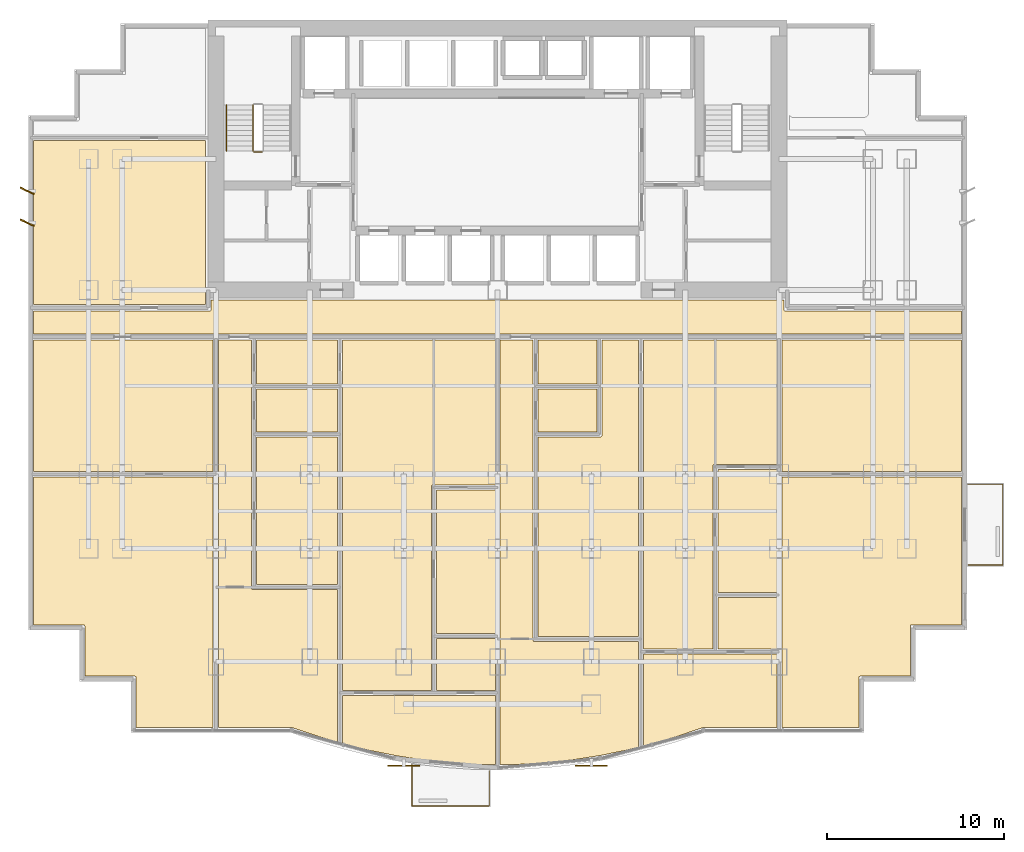
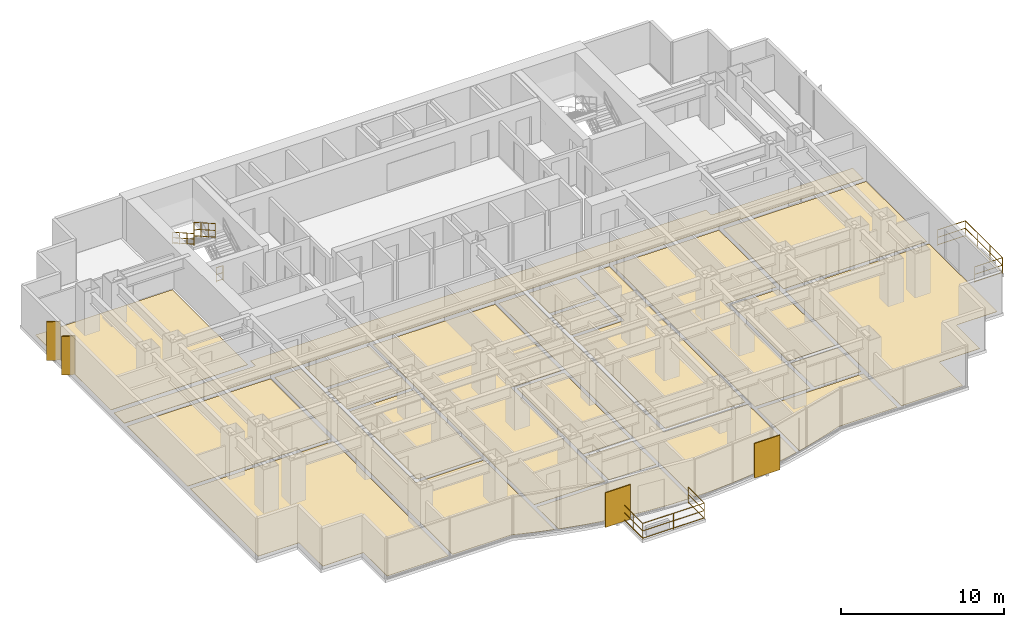
# One storey, part 9 of 10: 22 coverings, 5 railings, 4 shading devices.
"""IFC4 building model written with IfcOpenShell, lengths in metres."""

from ifc_helpers import new_model, si_unit, direction, frame, origin, origin_2d, place, context, subcontext, project, spatial, polyline, rectangle, circle, outline, extrude, source, transform, mapped, material, layer, layer_set, type_object, element, save


model = new_model("IFC4")

# Units and contexts
model_context = context("Model", 3, precision=1e-05, world=origin(), true_north=direction((0.0, 1.0)))
body_context = subcontext(model_context, "Body", "Model", "MODEL_VIEW")
ifc_project = project(units=[si_unit("LENGTHUNIT", "METRE"), si_unit("AREAUNIT", "SQUARE_METRE"), si_unit("VOLUMEUNIT", "CUBIC_METRE"), si_unit("PLANEANGLEUNIT", "RADIAN"), si_unit("MASSUNIT", "GRAM", prefix="KILO")], contexts=[model_context])

# Site, building, storey
site_placement = place(None, origin())
site = spatial("IfcSite", under=ifc_project, at=site_placement, CompositionType="ELEMENT")
building_placement = place(site_placement, origin())
building = spatial("IfcBuilding", under=site, at=building_placement, Name="Qianlan Lanfeng Residences", CompositionType="ELEMENT")
storey_placement = place(building_placement, frame((0.0, 0.0, 50.60009765625)))
storey = spatial("IfcBuildingStorey", under=building, at=storey_placement, Name="L13", CompositionType="ELEMENT", Elevation=50.60009765625)

# Coverings
ifc_material_1 = material(Name="Honed Taitung Granite Stone Flooring", Category="masonry")
ifc_layer_1 = layer(ifc_material_1, 0.030029296875)
ifc_layer_set_1 = layer_set([ifc_layer_1], Name="Honed Taitung Granite Stone Flooring")
covering_type_1 = type_object("IfcCoveringType", Name="FLR-STN-30", PredefinedType="FLOORING", material=ifc_layer_set_1)
covering_1_placement = place(storey_placement, origin())
element("IfcCovering", 1, at=covering_1_placement, inside=storey, type_object=covering_type_1, Name="L13 Residential Corridor Floor Finish", PredefinedType="FLOORING", context=body_context, shape_type="SweptSolid", body=[
    extrude(outline(polyline([(0.2900390625, 22.72998046875), (52.7099609375, 22.72998046875), (52.7099609375, 24.02001953125), (42.739990234375, 24.02001953125), (42.73291015625, 24.02001953125), (42.72607421875, 24.02099609375), (42.719970703125, 24.02294921875), (42.712890625, 24.02490234375), (42.70703125, 24.028076171875), (42.700927734375, 24.031982421875), (42.696044921875, 24.035888671875), (42.69091796875, 24.041015625), (42.68603515625, 24.0458984375), (42.681884765625, 24.051025390625), (42.677978515625, 24.056884765625), (42.675048828125, 24.06298828125), (42.673095703125, 24.070068359375), (42.6708984375, 24.075927734375), (42.669921875, 24.0830078125), (42.669921875, 24.090087890625), (42.669921875, 24.64990234375), (10.330078125, 24.64990234375), (10.330078125, 24.090087890625), (10.330078125, 24.0830078125), (10.3291015625, 24.075927734375), (10.326904296875, 24.070068359375), (10.324951171875, 24.06298828125), (10.322021484375, 24.056884765625), (10.318115234375, 24.051025390625), (10.31396484375, 24.0458984375), (10.30908203125, 24.041015625), (10.303955078125, 24.035888671875), (10.299072265625, 24.031982421875), (10.29296875, 24.028076171875), (10.287109375, 24.02490234375), (10.280029296875, 24.02294921875), (10.27392578125, 24.02099609375), (10.26708984375, 24.02001953125), (10.260009765625, 24.02001953125), (0.2900390625, 24.02001953125), (0.2900390625, 22.72998046875)])), origin(), (0.0, 0.0, 1.0), 0.02978515625),
])
ifc_material_2 = material(Name="Slip-Resistant Porcelain Tile Flooring")
ifc_layer_2 = layer(ifc_material_2, 0.02001953125)
ifc_layer_set_2 = layer_set([ifc_layer_2], Name="Slip-Resistant Porcelain Tile Flooring")
covering_type_2 = type_object("IfcCoveringType", Name="FLR-TIL-20", PredefinedType="FLOORING", material=ifc_layer_set_2)
covering_2_placement = place(storey_placement, origin())
element("IfcCovering", 2, at=covering_2_placement, inside=storey, type_object=covering_type_2, Name="L13 Kitchen Floor Finish", PredefinedType="FLOORING", context=body_context, shape_type="SweptSolid", body=[
    extrude(outline(polyline([(12.889892578125, 17.18994140625), (17.4599609375, 17.18994140625), (17.4599609375, 19.610107421875), (12.889892578125, 19.610107421875), (12.889892578125, 17.18994140625)])), origin(), (0.0, 0.0, 1.0), 0.02001953125),
])
covering_3_placement = place(storey_placement, origin())
element("IfcCovering", 3, at=covering_3_placement, inside=storey, type_object=covering_type_2, Name="L13 Bathroom Floor Finish", PredefinedType="FLOORING", context=body_context, shape_type="SweptSolid", body=[
    extrude(outline(polyline([(12.889892578125, 19.889892578125), (17.4599609375, 19.889892578125), (17.4599609375, 22.3798828125), (12.889892578125, 22.3798828125), (12.889892578125, 19.889892578125)])), origin(), (0.0, 0.0, 1.0), 0.02001953125),
])
covering_4_placement = place(storey_placement, origin())
element("IfcCovering", 4, at=covering_4_placement, inside=storey, type_object=covering_type_2, Name="L13 En-Suite Bathroom Floor Finish", PredefinedType="FLOORING", context=body_context, shape_type="SweptSolid", body=[
    extrude(outline(polyline([(23.0400390625, 2.591064453125), (26.3701171875, 2.591064453125), (26.3701171875, 5.510986328125), (23.0400390625, 5.510986328125), (23.0400390625, 2.591064453125)])), origin(), (0.0, 0.0, 1.0), 0.02001953125),
])
covering_5_placement = place(storey_placement, origin())
element("IfcCovering", 5, at=covering_5_placement, inside=storey, type_object=covering_type_2, Name="L13 Kitchen Floor Finish", PredefinedType="FLOORING", context=body_context, shape_type="SweptSolid", body=[
    extrude(outline(polyline([(28.7900390625, 17.18994140625), (32.110107421875, 17.18994140625), (32.110107421875, 19.610107421875), (28.7900390625, 19.610107421875), (28.7900390625, 17.18994140625)])), origin(), (0.0, 0.0, 1.0), 0.02001953125),
])
covering_6_placement = place(storey_placement, origin())
element("IfcCovering", 6, at=covering_6_placement, inside=storey, type_object=covering_type_2, Name="L13 Bathroom Floor Finish", PredefinedType="FLOORING", context=body_context, shape_type="SweptSolid", body=[
    extrude(outline(polyline([(28.7900390625, 19.889892578125), (32.110107421875, 19.889892578125), (32.110107421875, 22.3798828125), (28.7900390625, 22.3798828125), (28.7900390625, 19.889892578125)])), origin(), (0.0, 0.0, 1.0), 0.02001953125),
])
covering_7_placement = place(storey_placement, origin())
element("IfcCovering", 7, at=covering_7_placement, inside=storey, type_object=covering_type_2, Name="L13 En-Suite Bathroom Floor Finish", PredefinedType="FLOORING", context=body_context, shape_type="SweptSolid", body=[
    extrude(outline(polyline([(38.93994140625, 4.9189453125), (42.27001953125, 4.9189453125), (42.27001953125, 7.839111328125), (38.93994140625, 7.839111328125), (38.93994140625, 4.9189453125)])), origin(), (0.0, 0.0, 1.0), 0.02001953125),
])
ifc_material_3 = material(Name="Engineered Smoked Oak Timber Flooring", Category="wood")
ifc_layer_3 = layer(ifc_material_3, 0.02197265625)
ifc_layer_set_3 = layer_set([ifc_layer_3], Name="Engineered Smoked Oak Timber Flooring")
covering_type_3 = type_object("IfcCoveringType", Name="FLR-TIM-22", PredefinedType="FLOORING", material=ifc_layer_set_3)
covering_8_placement = place(storey_placement, origin())
element("IfcCovering", 8, at=covering_8_placement, inside=storey, type_object=covering_type_3, Name="L13 Living and Dining Room Floor Finish", PredefinedType="FLOORING", context=body_context, shape_type="SweptSolid", body=[
    extrude(outline(polyline([(17.469970703125, -0.3310546875), (17.469970703125, 8.280029296875), (12.679931640625, 8.280029296875), (12.673095703125, 8.280029296875), (12.666015625, 8.281005859375), (12.659912109375, 8.282958984375), (12.653076171875, 8.284912109375), (12.64697265625, 8.2880859375), (12.64111328125, 8.2919921875), (12.635986328125, 8.2958984375), (12.631103515625, 8.301025390625), (12.6259765625, 8.305908203125), (12.6220703125, 8.31103515625), (12.617919921875, 8.31689453125), (12.614990234375, 8.322998046875), (12.613037109375, 8.330078125), (12.611083984375, 8.3359375), (12.610107421875, 8.343017578125), (12.610107421875, 8.35009765625), (12.610107421875, 22.3798828125), (10.72998046875, 22.3798828125), (10.72998046875, 0.489990234375), (14.885986328125, 0.489990234375), (14.89404296875, 0.489990234375), (14.90087890625, 0.488037109375), (14.908935546875, 0.486083984375), (16.39306640625, -0.014892578125), (17.469970703125, -0.3310546875)])), origin(), (0.0, 0.0, 1.0), 0.02197265625),
])
covering_9_placement = place(storey_placement, origin())
element("IfcCovering", 9, at=covering_9_placement, inside=storey, type_object=covering_type_3, Name="L13 Villa Family Sitting Room Floor Finish", PredefinedType="FLOORING", context=body_context, shape_type="SweptSolid", body=[
    extrude(outline(polyline([(12.889892578125, 16.909912109375), (12.889892578125, 8.56005859375), (17.469970703125, 8.56005859375), (17.469970703125, 16.909912109375), (12.889892578125, 16.909912109375)])), origin(), (0.0, 0.0, 1.0), 0.02197265625),
])
covering_10_placement = place(storey_placement, origin())
element("IfcCovering", 10, at=covering_10_placement, inside=storey, type_object=covering_type_3, Name="L13 Private Study Floor Finish", PredefinedType="FLOORING", context=body_context, shape_type="SweptSolid", body=[
    extrude(outline(polyline([(23.0400390625, 5.791015625), (26.3701171875, 5.791015625), (26.3701171875, 13.909912109375), (23.0400390625, 13.909912109375), (23.0400390625, 5.791015625)])), origin(), (0.0, 0.0, 1.0), 0.02197265625),
])
covering_11_placement = place(storey_placement, origin())
element("IfcCovering", 11, at=covering_11_placement, inside=storey, type_object=covering_type_3, Name="L13 Villa Family Sitting Room Floor Finish", PredefinedType="FLOORING", context=body_context, shape_type="SweptSolid", body=[
    extrude(outline(polyline([(17.72998046875, 2.591064453125), (22.760009765625, 2.591064453125), (22.760009765625, 14.1201171875), (22.760009765625, 14.126953125), (22.760986328125, 14.134033203125), (22.762939453125, 14.139892578125), (22.764892578125, 14.14697265625), (22.76806640625, 14.153076171875), (22.77197265625, 14.158935546875), (22.77587890625, 14.1640625), (22.781005859375, 14.1689453125), (22.785888671875, 14.174072265625), (22.791015625, 14.177978515625), (22.797119140625, 14.181884765625), (22.802978515625, 14.18505859375), (22.81005859375, 14.18701171875), (22.81591796875, 14.18896484375), (22.822998046875, 14.18994140625), (22.830078125, 14.18994140625), (26.3701171875, 14.18994140625), (26.3701171875, 22.3798828125), (17.72998046875, 22.3798828125), (17.72998046875, 2.591064453125)])), origin(), (0.0, 0.0, 1.0), 0.02197265625),
])
covering_12_placement = place(storey_placement, origin())
element("IfcCovering", 12, at=covering_12_placement, inside=storey, type_object=covering_type_3, Name="L13 Master Bedroom Floor Finish", PredefinedType="FLOORING", context=body_context, shape_type="SweptSolid", body=[
    extrude(outline(polyline([(17.72998046875, 2.31103515625), (17.72998046875, -0.406982421875), (17.837890625, -0.43896484375), (19.282958984375, -0.797119140625), (20.72607421875, -1.090087890625), (22.169921875, -1.318115234375), (23.613037109375, -1.47998046875), (25.056884765625, -1.576904296875), (26.3701171875, -1.60693359375), (26.3701171875, 2.31103515625), (17.72998046875, 2.31103515625)])), origin(), (0.0, 0.0, 1.0), 0.02197265625),
])
covering_13_placement = place(storey_placement, origin())
element("IfcCovering", 13, at=covering_13_placement, inside=storey, type_object=covering_type_3, Name="L13 Living and Dining Room Floor Finish", PredefinedType="FLOORING", context=body_context, shape_type="SweptSolid", body=[
    extrude(outline(polyline([(34.469970703125, -0.610107421875), (34.469970703125, 5.35400390625), (28.580078125, 5.35400390625), (28.572998046875, 5.35400390625), (28.56591796875, 5.35498046875), (28.56005859375, 5.35693359375), (28.552978515625, 5.35888671875), (28.547119140625, 5.362060546875), (28.541015625, 5.365966796875), (28.535888671875, 5.3701171875), (28.531005859375, 5.375), (28.52587890625, 5.3798828125), (28.52197265625, 5.385009765625), (28.51806640625, 5.39111328125), (28.514892578125, 5.39697265625), (28.512939453125, 5.404052734375), (28.510986328125, 5.409912109375), (28.510009765625, 5.4169921875), (28.510009765625, 5.424072265625), (28.510009765625, 22.3798828125), (26.6298828125, 22.3798828125), (26.6298828125, -1.60693359375), (27.943115234375, -1.576904296875), (29.385986328125, -1.47998046875), (30.830078125, -1.318115234375), (32.27392578125, -1.090087890625), (33.717041015625, -0.797119140625), (34.469970703125, -0.610107421875)])), origin(), (0.0, 0.0, 1.0), 0.02197265625),
])
covering_14_placement = place(storey_placement, origin())
element("IfcCovering", 14, at=covering_14_placement, inside=storey, type_object=covering_type_3, Name="L13 Villa Family Sitting Room Floor Finish", PredefinedType="FLOORING", context=body_context, shape_type="SweptSolid", body=[
    extrude(outline(polyline([(28.7900390625, 5.634033203125), (34.469970703125, 5.634033203125), (34.469970703125, 22.3798828125), (32.389892578125, 22.3798828125), (32.389892578125, 16.97998046875), (32.389892578125, 16.972900390625), (32.388916015625, 16.966064453125), (32.386962890625, 16.9599609375), (32.385009765625, 16.952880859375), (32.382080078125, 16.947021484375), (32.3779296875, 16.94091796875), (32.3740234375, 16.93603515625), (32.368896484375, 16.930908203125), (32.364013671875, 16.926025390625), (32.35888671875, 16.922119140625), (32.35302734375, 16.91796875), (32.346923828125, 16.9150390625), (32.340087890625, 16.9130859375), (32.333984375, 16.910888671875), (32.326904296875, 16.909912109375), (32.320068359375, 16.909912109375), (28.7900390625, 16.909912109375), (28.7900390625, 5.634033203125)])), origin(), (0.0, 0.0, 1.0), 0.02197265625),
])
covering_15_placement = place(storey_placement, origin())
element("IfcCovering", 15, at=covering_15_placement, inside=storey, type_object=covering_type_3, Name="L13 Private Study Floor Finish", PredefinedType="FLOORING", context=body_context, shape_type="SweptSolid", body=[
    extrude(outline(polyline([(38.93994140625, 8.118896484375), (42.27001953125, 8.118896484375), (42.27001953125, 15.073974609375), (38.93994140625, 15.073974609375), (38.93994140625, 8.118896484375)])), origin(), (0.0, 0.0, 1.0), 0.02197265625),
])
covering_16_placement = place(storey_placement, origin())
element("IfcCovering", 16, at=covering_16_placement, inside=storey, type_object=covering_type_3, Name="L13 Villa Family Sitting Room Floor Finish", PredefinedType="FLOORING", context=body_context, shape_type="SweptSolid", body=[
    extrude(outline(polyline([(34.72998046875, 4.9189453125), (38.659912109375, 4.9189453125), (38.659912109375, 15.283935546875), (38.659912109375, 15.291015625), (38.660888671875, 15.298095703125), (38.6630859375, 15.303955078125), (38.6650390625, 15.31103515625), (38.66796875, 15.31689453125), (38.672119140625, 15.322998046875), (38.676025390625, 15.327880859375), (38.680908203125, 15.3330078125), (38.68603515625, 15.337890625), (38.69091796875, 15.342041015625), (38.697021484375, 15.345947265625), (38.702880859375, 15.34912109375), (38.7099609375, 15.35107421875), (38.716064453125, 15.35302734375), (38.722900390625, 15.35400390625), (38.72998046875, 15.35400390625), (42.27001953125, 15.35400390625), (42.27001953125, 22.3798828125), (34.72998046875, 22.3798828125), (34.72998046875, 4.9189453125)])), origin(), (0.0, 0.0, 1.0), 0.02197265625),
])
covering_17_placement = place(storey_placement, origin())
element("IfcCovering", 17, at=covering_17_placement, inside=storey, type_object=covering_type_3, Name="L13 Master Bedroom Floor Finish", PredefinedType="FLOORING", context=body_context, shape_type="SweptSolid", body=[
    extrude(outline(polyline([(34.72998046875, 4.638916015625), (34.72998046875, -0.5458984375), (35.160888671875, -0.43896484375), (36.60693359375, -0.014892578125), (38.091064453125, 0.486083984375), (38.09912109375, 0.488037109375), (38.10595703125, 0.489990234375), (38.114013671875, 0.489990234375), (42.27001953125, 0.489990234375), (42.27001953125, 4.638916015625), (34.72998046875, 4.638916015625)])), origin(), (0.0, 0.0, 1.0), 0.02197265625),
])
covering_18_placement = place(storey_placement, origin())
element("IfcCovering", 18, at=covering_18_placement, inside=storey, type_object=covering_type_3, Name="L13 Sunroom Floor Finish", PredefinedType="FLOORING", context=body_context, shape_type="SweptSolid", body=[
    extrude(outline(polyline([(10.43994140625, 14.64990234375), (0.2900390625, 14.64990234375), (0.2900390625, 6.2900390625), (3.1201171875, 6.2900390625), (3.126953125, 6.2900390625), (3.134033203125, 6.2890625), (3.139892578125, 6.287109375), (3.14697265625, 6.284912109375), (3.153076171875, 6.281982421875), (3.158935546875, 6.278076171875), (3.1640625, 6.27392578125), (3.1689453125, 6.26904296875), (3.174072265625, 6.263916015625), (3.177978515625, 6.259033203125), (3.181884765625, 6.2529296875), (3.18505859375, 6.2470703125), (3.18701171875, 6.239990234375), (3.18896484375, 6.23388671875), (3.18994140625, 6.22705078125), (3.18994140625, 6.219970703125), (3.18994140625, 3.389892578125), (6.02001953125, 3.389892578125), (6.027099609375, 3.389892578125), (6.033935546875, 3.388916015625), (6.0400390625, 3.386962890625), (6.047119140625, 3.385009765625), (6.052978515625, 3.382080078125), (6.05908203125, 3.3779296875), (6.06396484375, 3.3740234375), (6.069091796875, 3.368896484375), (6.073974609375, 3.364013671875), (6.077880859375, 3.35888671875), (6.08203125, 3.35302734375), (6.0849609375, 3.346923828125), (6.0869140625, 3.340087890625), (6.089111328125, 3.333984375), (6.090087890625, 3.326904296875), (6.090087890625, 3.320068359375), (6.090087890625, 0.489990234375), (10.43994140625, 0.489990234375), (10.43994140625, 14.64990234375)])), origin(), (0.0, 0.0, 1.0), 0.02197265625),
])
covering_19_placement = place(storey_placement, origin())
element("IfcCovering", 19, at=covering_19_placement, inside=storey, type_object=covering_type_3, Name="L13 Family Sitting Room Floor Finish", PredefinedType="FLOORING", context=body_context, shape_type="SweptSolid", body=[
    extrude(outline(polyline([(10.43994140625, 22.3798828125), (0.2900390625, 22.3798828125), (0.2900390625, 14.949951171875), (10.43994140625, 14.949951171875), (10.43994140625, 22.3798828125)])), origin(), (0.0, 0.0, 1.0), 0.02197265625),
])
covering_20_placement = place(storey_placement, origin())
element("IfcCovering", 20, at=covering_20_placement, inside=storey, type_object=covering_type_3, Name="L13 Sunroom Floor Finish", PredefinedType="FLOORING", context=body_context, shape_type="SweptSolid", body=[
    extrude(outline(polyline([(52.7099609375, 14.64990234375), (42.56005859375, 14.64990234375), (42.56005859375, 0.489990234375), (46.909912109375, 0.489990234375), (46.909912109375, 3.320068359375), (46.909912109375, 3.326904296875), (46.910888671875, 3.333984375), (46.9130859375, 3.340087890625), (46.9150390625, 3.346923828125), (46.91796875, 3.35302734375), (46.922119140625, 3.35888671875), (46.926025390625, 3.364013671875), (46.930908203125, 3.368896484375), (46.93603515625, 3.3740234375), (46.94091796875, 3.3779296875), (46.947021484375, 3.382080078125), (46.952880859375, 3.385009765625), (46.9599609375, 3.386962890625), (46.966064453125, 3.388916015625), (46.972900390625, 3.389892578125), (46.97998046875, 3.389892578125), (49.81005859375, 3.389892578125), (49.81005859375, 6.219970703125), (49.81005859375, 6.22705078125), (49.81103515625, 6.23388671875), (49.81298828125, 6.239990234375), (49.81494140625, 6.2470703125), (49.818115234375, 6.2529296875), (49.822021484375, 6.259033203125), (49.825927734375, 6.263916015625), (49.8310546875, 6.26904296875), (49.8359375, 6.27392578125), (49.841064453125, 6.278076171875), (49.846923828125, 6.281982421875), (49.85302734375, 6.284912109375), (49.860107421875, 6.287109375), (49.865966796875, 6.2890625), (49.873046875, 6.2900390625), (49.8798828125, 6.2900390625), (52.7099609375, 6.2900390625), (52.7099609375, 14.64990234375)])), origin(), (0.0, 0.0, 1.0), 0.02197265625),
])
covering_21_placement = place(storey_placement, origin())
element("IfcCovering", 21, at=covering_21_placement, inside=storey, type_object=covering_type_3, Name="L13 Private Study Floor Finish", PredefinedType="FLOORING", context=body_context, shape_type="SweptSolid", body=[
    extrude(outline(polyline([(52.7099609375, 22.3798828125), (42.56005859375, 22.3798828125), (42.56005859375, 14.949951171875), (52.7099609375, 14.949951171875), (52.7099609375, 22.3798828125)])), origin(), (0.0, 0.0, 1.0), 0.02197265625),
])
covering_22_placement = place(storey_placement, origin())
element("IfcCovering", 22, at=covering_22_placement, inside=storey, type_object=covering_type_3, Name="L13 Piano Salon Floor Finish", PredefinedType="FLOORING", context=body_context, shape_type="SweptSolid", body=[
    extrude(outline(polyline([(10.0, 33.64990234375), (0.2900390625, 33.64990234375), (0.2900390625, 24.3798828125), (10.0, 24.3798828125), (10.0, 33.64990234375)])), origin(), (0.0, 0.0, 1.0), 0.02197265625),
])

# Railings
ifc_material_4 = material(Name="Anodised Bronze Aluminium and Laminated Glass Guard Balustrade", Category="aluminium")
railing_type_1 = type_object("IfcRailingType", Name="GR-EXT-1220", PredefinedType="BALUSTRADE", material=ifc_material_4)
railing_1_placement = place(storey_placement, frame((26.030029296875, -1.958984375, 0.0)))
element("IfcRailing", 23, at=railing_1_placement, inside=storey, type_object=railing_type_1, Name="L13 Terrace Safety Guard GR-L13-SB-C", PredefinedType="BALUSTRADE", context=body_context, shape_type="SweptSolid", body=[
    extrude(circle(Radius=0.02490234375, at=origin_2d()), frame((0.0, 0.0, 0.0849609375), z_axis=(0.0, -1.0, 0.0), x_axis=(1.0, 0.0, 0.0)), (0.0, 0.0, 1.0), 1.970947265625),
    extrude(circle(Radius=0.02490234375, at=origin_2d()), frame((0.0, 0.0, 0.63427734375), z_axis=(0.0, -1.0, 0.0), x_axis=(1.0, 0.0, 0.0)), (0.0, 0.0, 1.0), 1.970947265625),
    extrude(circle(Radius=0.02490234375, at=origin_2d()), frame((0.0, 0.0, 1.19482421875), z_axis=(0.0, -1.0, 0.0), x_axis=(1.0, 0.0, 0.0)), (0.0, 0.0, 1.0), 1.970947265625),
    extrude(circle(Radius=0.02490234375, at=origin_2d()), frame((0.0, -1.970947265625, 0.0849609375), z_axis=(-1.0, 0.0, 0.0), x_axis=(0.0, -1.0, 0.0)), (0.0, 0.0, 1.0), 4.360107421875),
    extrude(circle(Radius=0.02490234375, at=origin_2d()), frame((0.0, -1.970947265625, 0.63427734375), z_axis=(-1.0, 0.0, 0.0), x_axis=(0.0, -1.0, 0.0)), (0.0, 0.0, 1.0), 4.360107421875),
    extrude(circle(Radius=0.02490234375, at=origin_2d()), frame((0.0, -1.970947265625, 1.19482421875), z_axis=(-1.0, 0.0, 0.0), x_axis=(0.0, -1.0, 0.0)), (0.0, 0.0, 1.0), 4.360107421875),
    extrude(circle(Radius=0.02490234375, at=origin_2d()), frame((-4.360107421875, -1.970947265625, 0.0849609375), z_axis=(0.0, 1.0, 0.0), x_axis=(-1.0, 0.0, 0.0)), (0.0, 0.0, 1.0), 2.326904296875),
    extrude(circle(Radius=0.02490234375, at=origin_2d()), frame((-4.360107421875, -1.970947265625, 0.63427734375), z_axis=(0.0, 1.0, 0.0), x_axis=(-1.0, 0.0, 0.0)), (0.0, 0.0, 1.0), 2.326904296875),
    extrude(circle(Radius=0.02490234375, at=origin_2d()), frame((-4.360107421875, -1.970947265625, 1.19482421875), z_axis=(0.0, 1.0, 0.0), x_axis=(-1.0, 0.0, 0.0)), (0.0, 0.0, 1.0), 2.326904296875),
    extrude(circle(Radius=0.02099609375, at=origin_2d()), origin(), (0.0, 0.0, 1.0), 1.169921875),
    extrude(circle(Radius=0.02099609375, at=origin_2d()), frame((0.0, -1.970947265625, 0.0)), (0.0, 0.0, 1.0), 1.169921875),
    extrude(circle(Radius=0.02099609375, at=origin_2d()), frame((-2.18017578125, -1.970947265625, 0.0)), (0.0, 0.0, 1.0), 1.169921875),
    extrude(circle(Radius=0.02099609375, at=origin_2d()), frame((-4.360107421875, -1.970947265625, 0.0)), (0.0, 0.0, 1.0), 1.169921875),
    extrude(circle(Radius=0.02099609375, at=origin_2d()), frame((-4.360107421875, -0.8076171875, 0.0)), (0.0, 0.0, 1.0), 1.169921875),
    extrude(circle(Radius=0.02099609375, at=origin_2d()), frame((-4.360107421875, 0.35595703125, 0.0)), (0.0, 0.0, 1.0), 1.169921875),
])
railing_2_placement = place(storey_placement, frame((53.070068359375, 14.22998046875, 0.0)))
element("IfcRailing", 24, at=railing_2_placement, inside=storey, type_object=railing_type_1, Name="L13 Terrace Safety Guard GR-L13-EB-S", PredefinedType="BALUSTRADE", context=body_context, shape_type="SweptSolid", body=[
    extrude(circle(Radius=0.02490234375, at=origin_2d()), frame((0.0, 0.0, 0.0849609375), z_axis=(1.0, 0.0, 0.0), x_axis=(0.0, 1.0, 0.0)), (0.0, 0.0, 1.0), 1.9599609375),
    extrude(circle(Radius=0.02490234375, at=origin_2d()), frame((0.0, 0.0, 0.63427734375), z_axis=(1.0, 0.0, 0.0), x_axis=(0.0, 1.0, 0.0)), (0.0, 0.0, 1.0), 1.9599609375),
    extrude(circle(Radius=0.02490234375, at=origin_2d()), frame((0.0, 0.0, 1.19482421875), z_axis=(1.0, 0.0, 0.0), x_axis=(0.0, 1.0, 0.0)), (0.0, 0.0, 1.0), 1.9599609375),
    extrude(circle(Radius=0.02490234375, at=origin_2d()), frame((1.9599609375, 0.0, 0.0849609375), z_axis=(0.0, -1.0, 0.0), x_axis=(1.0, 0.0, 0.0)), (0.0, 0.0, 1.0), 4.56005859375),
    extrude(circle(Radius=0.02490234375, at=origin_2d()), frame((1.9599609375, 0.0, 0.63427734375), z_axis=(0.0, -1.0, 0.0), x_axis=(1.0, 0.0, 0.0)), (0.0, 0.0, 1.0), 4.56005859375),
    extrude(circle(Radius=0.02490234375, at=origin_2d()), frame((1.9599609375, 0.0, 1.19482421875), z_axis=(0.0, -1.0, 0.0), x_axis=(1.0, 0.0, 0.0)), (0.0, 0.0, 1.0), 4.56005859375),
    extrude(circle(Radius=0.02490234375, at=origin_2d()), frame((1.9599609375, -4.56005859375, 0.0849609375), z_axis=(-1.0, 0.0, 0.0), x_axis=(0.0, -1.0, 0.0)), (0.0, 0.0, 1.0), 1.9599609375),
    extrude(circle(Radius=0.02490234375, at=origin_2d()), frame((1.9599609375, -4.56005859375, 0.63427734375), z_axis=(-1.0, 0.0, 0.0), x_axis=(0.0, -1.0, 0.0)), (0.0, 0.0, 1.0), 1.9599609375),
    extrude(circle(Radius=0.02490234375, at=origin_2d()), frame((1.9599609375, -4.56005859375, 1.19482421875), z_axis=(-1.0, 0.0, 0.0), x_axis=(0.0, -1.0, 0.0)), (0.0, 0.0, 1.0), 1.9599609375),
    extrude(circle(Radius=0.02099609375, at=origin_2d()), origin(), (0.0, 0.0, 1.0), 1.169921875),
    extrude(circle(Radius=0.02099609375, at=origin_2d()), frame((1.9599609375, 0.0, 0.0)), (0.0, 0.0, 1.0), 1.169921875),
    extrude(circle(Radius=0.02099609375, at=origin_2d()), frame((1.9599609375, -1.52001953125, 0.0)), (0.0, 0.0, 1.0), 1.169921875),
    extrude(circle(Radius=0.02099609375, at=origin_2d()), frame((1.9599609375, -3.0400390625, 0.0)), (0.0, 0.0, 1.0), 1.169921875),
    extrude(circle(Radius=0.02099609375, at=origin_2d()), frame((1.9599609375, -4.56005859375, 0.0)), (0.0, 0.0, 1.0), 1.169921875),
    extrude(circle(Radius=0.02099609375, at=origin_2d()), frame((0.0, -4.56005859375, 0.0)), (0.0, 0.0, 1.0), 1.169921875),
])
ifc_material_5 = material(Name="Painted Galvanised Steel Guardrail", Category="steel")
railing_type_2 = type_object("IfcRailingType", Name="GR-ST-1120", PredefinedType="GUARDRAIL", material=ifc_material_5)
railing_3_placement = place(storey_placement, frame((12.68994140625, 35.659912109375, 1.81494140625)))
element("IfcRailing", 25, at=railing_3_placement, inside=storey, type_object=railing_type_2, Name="L13 ST-1 stair guard 3", PredefinedType="GUARDRAIL", context=body_context, shape_type="SweptSolid", body=[
    extrude(circle(Radius=0.02392578125, at=origin_2d()), frame((0.0, 0.0, 0.083984375), z_axis=(0.0, -0.869172267526, 0.494509422927), x_axis=(1.0, 0.0, 0.0)), (0.0, 0.0, 1.0), 3.002685546875),
    extrude(circle(Radius=0.02392578125, at=origin_2d()), frame((0.0, 0.0, 0.58251953125), z_axis=(0.0, -0.869172267526, 0.494509422927), x_axis=(1.0, 0.0, 0.0)), (0.0, 0.0, 1.0), 3.002685546875),
    extrude(circle(Radius=0.02392578125, at=origin_2d()), frame((0.0, 0.0, 1.09619140625), z_axis=(0.0, -0.869172267526, 0.494509422927), x_axis=(1.0, 0.0, 0.0)), (0.0, 0.0, 1.0), 3.002685546875),
    extrude(circle(Radius=0.02099609375, at=origin_2d()), origin(), (0.0, 0.0, 1.0), 1.072021484375),
    extrude(circle(Radius=0.02099609375, at=origin_2d()), frame((0.0, -0.869873046875, 0.494873046875)), (0.0, 0.0, 1.0), 1.072021484375),
    extrude(circle(Radius=0.02099609375, at=origin_2d()), frame((0.0, -1.739990234375, 0.989990234375)), (0.0, 0.0, 1.0), 1.072021484375),
    extrude(circle(Radius=0.02099609375, at=origin_2d()), frame((0.0, -2.60986328125, 1.48486328125)), (0.0, 0.0, 1.0), 1.072021484375),
])
railing_4_placement = place(storey_placement, frame((13.219970703125, 33.0, 0.0)))
element("IfcRailing", 26, at=railing_4_placement, inside=storey, type_object=railing_type_2, Name="L13 ST-1 stair guard 4", PredefinedType="GUARDRAIL", context=body_context, shape_type="SweptSolid", body=[
    extrude(circle(Radius=0.02392578125, at=origin_2d()), frame((0.0, 0.0, 0.083984375), z_axis=(-1.0, 0.0, 0.0), x_axis=(0.0, -1.0, 0.0)), (0.0, 0.0, 1.0), 0.47998046875),
    extrude(circle(Radius=0.02392578125, at=origin_2d()), frame((0.0, 0.0, 0.58251953125), z_axis=(-1.0, 0.0, 0.0), x_axis=(0.0, -1.0, 0.0)), (0.0, 0.0, 1.0), 0.47998046875),
    extrude(circle(Radius=0.02392578125, at=origin_2d()), frame((0.0, 0.0, 1.09619140625), z_axis=(-1.0, 0.0, 0.0), x_axis=(0.0, -1.0, 0.0)), (0.0, 0.0, 1.0), 0.47998046875),
    extrude(circle(Radius=0.02099609375, at=origin_2d()), origin(), (0.0, 0.0, 1.0), 1.072021484375),
    extrude(circle(Radius=0.02099609375, at=origin_2d()), frame((-0.47998046875, 0.0, 0.0)), (0.0, 0.0, 1.0), 1.072021484375),
])
ifc_material_6 = material(Name="Brushed Stainless Steel Handrail", Category="steel")
railing_type_3 = type_object("IfcRailingType", Name="HR-ST-920", PredefinedType="HANDRAIL", material=ifc_material_6)
railing_5_placement = place(storey_placement, frame((11.18994140625, 35.659912109375, 1.81494140625)))
element("IfcRailing", 27, at=railing_5_placement, inside=storey, type_object=railing_type_3, Name="L13 ST-1 stair handrail 2", PredefinedType="HANDRAIL", context=body_context, shape_type="SweptSolid", body=[
    extrude(circle(Radius=0.02392578125, at=origin_2d()), frame((0.0, 0.0, 0.083984375), z_axis=(0.0, -0.869172267526, 0.494509422927), x_axis=(1.0, 0.0, 0.0)), (0.0, 0.0, 1.0), 3.002685546875),
    extrude(circle(Radius=0.02392578125, at=origin_2d()), frame((0.0, 0.0, 0.468017578125), z_axis=(0.0, -0.869172267526, 0.494509422927), x_axis=(1.0, 0.0, 0.0)), (0.0, 0.0, 1.0), 3.002685546875),
    extrude(circle(Radius=0.02392578125, at=origin_2d()), frame((0.0, 0.0, 0.8759765625), z_axis=(0.0, -0.869172267526, 0.494509422927), x_axis=(1.0, 0.0, 0.0)), (0.0, 0.0, 1.0), 3.002685546875),
    extrude(circle(Radius=0.02099609375, at=origin_2d()), origin(), (0.0, 0.0, 1.0), 0.851806640625),
    extrude(circle(Radius=0.02099609375, at=origin_2d()), frame((0.0, -0.869873046875, 0.494873046875)), (0.0, 0.0, 1.0), 0.851806640625),
    extrude(circle(Radius=0.02099609375, at=origin_2d()), frame((0.0, -1.739990234375, 0.989990234375)), (0.0, 0.0, 1.0), 0.851806640625),
    extrude(circle(Radius=0.02099609375, at=origin_2d()), frame((0.0, -2.60986328125, 1.48486328125)), (0.0, 0.0, 1.0), 0.851806640625),
])

# Shading devices
ifc_material_7 = material(Name="Perforated Bronze Aluminium Solar Screen", Category="aluminium")
shading_device_type_1 = type_object("IfcShadingDeviceType", Name="SCR-BRZ-1800", PredefinedType="JALOUSIE", material=ifc_material_7)
shared_shape_1 = source(origin(), body_context, "Body", "SweptSolid", [
    extrude(rectangle(XDim=1.800048828125, YDim=0.06005859375, at=origin_2d()), origin(), (0.0, 0.0, 1.0), 2.60009765625),
])
for number, where, z_axis, x_axis, name in (
    (28, (21.199951171875, -1.659912109375, -0.000244140625), (0.0, 0.0, 1.0), (1.0, 0.0, 0.0), "L13 Perforated Bronze Solar Screen 1"),
    (29, (31.800048828125, -1.659912109375, -0.000244140625), (0.0, 0.0, 1.0), (1.0, 0.0, 0.0), "L13 Perforated Bronze Solar Screen 2"),
):
    element("IfcShadingDevice", number, at=place(storey_placement, frame(where, z_axis=z_axis, x_axis=x_axis)), inside=storey, type_object=shading_device_type_1, Name=name, PredefinedType="JALOUSIE", context=body_context, shape_type="MappedRepresentation", body=[
        mapped(shared_shape_1, transform((0.0, 0.0, 0.0), scale=1.0)),
    ])
ifc_material_8 = material(Name="Anodised Bronze Aluminium Solar Fin", Category="aluminium")
shading_device_type_2 = type_object("IfcShadingDeviceType", Name="FIN-BRZ-850", PredefinedType="SHUTTER", material=ifc_material_8)
shared_shape_2 = source(origin(), body_context, "Body", "SweptSolid", [
    extrude(rectangle(XDim=0.85009765625, YDim=0.080078125, at=origin_2d()), origin(), (0.0, 0.0, 1.0), 2.89990234375),
])
for number, where, z_axis, x_axis, name in (
    (30, (-0.070068359375, 29.0, 0.0), (0.0, 0.0, 1.0), (0.898794046299, -0.438371146789, 0.0), "L13 Raked Bronze Solar Fin W1"),
    (31, (-0.070068359375, 30.800048828125, 0.0), (0.0, 0.0, 1.0), (0.898794046299, -0.438371146789, 0.0), "L13 Raked Bronze Solar Fin W2"),
):
    element("IfcShadingDevice", number, at=place(storey_placement, frame(where, z_axis=z_axis, x_axis=x_axis)), inside=storey, type_object=shading_device_type_2, Name=name, PredefinedType="SHUTTER", context=body_context, shape_type="MappedRepresentation", body=[
        mapped(shared_shape_2, transform((0.0, 0.0, 0.0), scale=1.0)),
    ])

save(model, "model.ifc")
